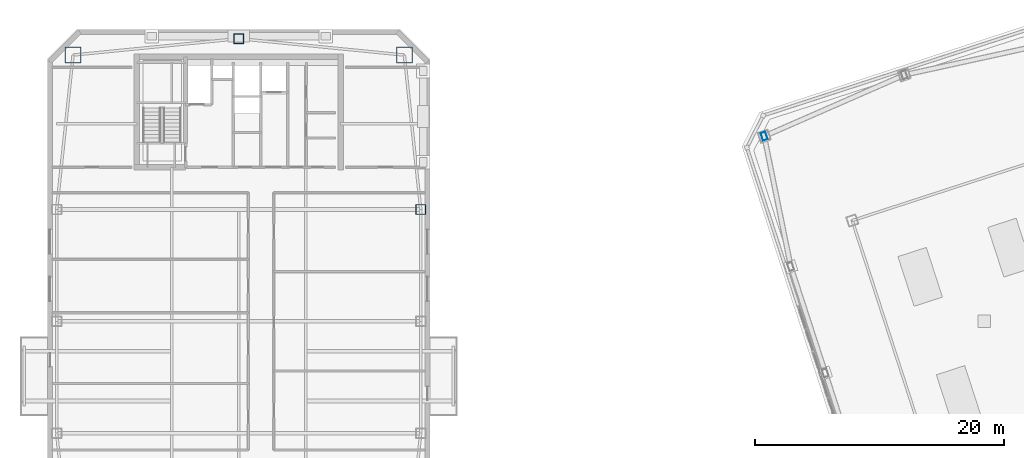
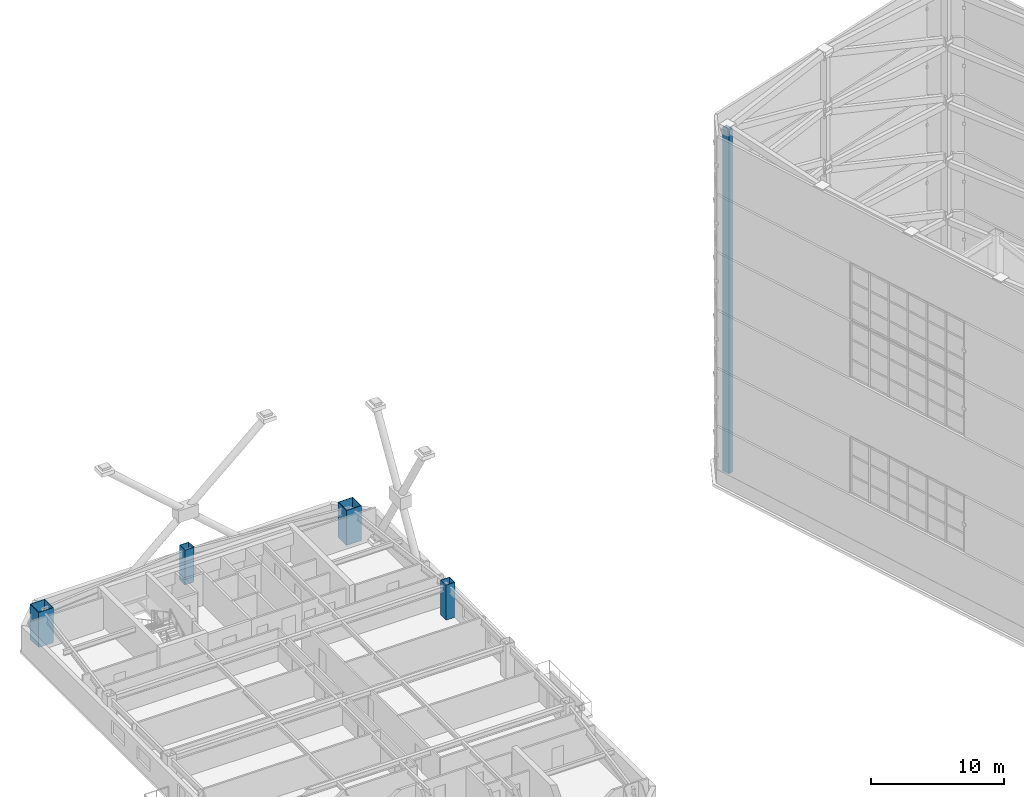
# One storey, part 2 of 56: 5 columns.
"""IFC4 building model written with IfcOpenShell, lengths in metres."""

import ifcopenshell
import ifcopenshell.guid

model = None  # the IFC model being written
_history = None  # IfcOwnerHistory: only IFC2X3 demands one
_inside = {}  # id of a spatial element -> (the spatial element, [elements in it])
_under = {}  # id of a project, library or spatial element -> (it, [spatial elements below it])
_declared = {}  # id of a project -> (the project, [libraries it declares])
_typed = {}  # id of a type object -> (the type object, [elements of that type])
_made_of = {}  # id of a material, layer set ... -> (it, [elements and type objects made of it])


def new_model(schema):
    """Start an empty IFC model of exactly this schema.

    Asked for "IFC4X3", IfcOpenShell would pick the latest addendum, in which some entities
    have other attributes; the version numbers below select the first issue.
    IFC2X3 requires an IfcOwnerHistory on every rooted entity: one is made here for all.
    """
    global model, _history
    if schema == "IFC4X3":
        model = ifcopenshell.file(schema_version=(4, 3, 0, 0))
    else:
        model = ifcopenshell.file(schema=schema)
    _inside.clear()
    _under.clear()
    _declared.clear()
    _typed.clear()
    _made_of.clear()
    _history = None
    if model.schema == "IFC2X3":
        org = make("IfcOrganization", Name="unknown")
        user = make(
            "IfcPersonAndOrganization",
            ThePerson=make("IfcPerson", FamilyName="unknown"),
            TheOrganization=org,
        )
        app = make(
            "IfcApplication",
            ApplicationDeveloper=org,
            Version="unknown",
            ApplicationFullName="unknown",
            ApplicationIdentifier="unknown",
        )
        _history = make(
            "IfcOwnerHistory",
            OwningUser=user,
            OwningApplication=app,
            ChangeAction="ADDED",
            CreationDate=0,
        )
    return model


def make(cls, **values):
    """One entity of the class cls with the attributes given. An attribute that is None is left unset."""
    return model.create_entity(
        cls, **{name: value for name, value in values.items() if value is not None}
    )


def rooted(cls, **values):
    """An entity with a GlobalId (a new one), such as an element, a storey or a relation."""
    return make(cls, GlobalId=ifcopenshell.guid.new(), OwnerHistory=_history, **values)


def si_unit(unit_type, name, prefix=None):
    """IfcSIUnit, for example si_unit("LENGTHUNIT", "METRE", prefix="MILLI")."""
    return make("IfcSIUnit", UnitType=unit_type, Prefix=prefix, Name=name)


def assignment(units):
    """IfcUnitAssignment: the units of a project."""
    return None if units is None else make("IfcUnitAssignment", Units=units)


def point(xyz):
    """IfcCartesianPoint."""
    return None if xyz is None else make("IfcCartesianPoint", Coordinates=xyz)


def direction(xyz):
    """IfcDirection."""
    return None if xyz is None else make("IfcDirection", DirectionRatios=xyz)


def frame(location, z_axis=None, x_axis=None):
    """IfcAxis2Placement3D, a coordinate frame: its origin and axes. An axis left out is left unset."""
    return make(
        "IfcAxis2Placement3D",
        Location=point(location),
        Axis=direction(z_axis),
        RefDirection=direction(x_axis),
    )


def frame_2d(location, x_axis=None):
    """IfcAxis2Placement2D, a coordinate frame in the plane: its origin and x axis."""
    return make(
        "IfcAxis2Placement2D", Location=point(location), RefDirection=direction(x_axis)
    )


def origin():
    """The frame at (0, 0, 0) with its axes left unset."""
    return frame((0.0, 0.0, 0.0))


def origin_2d():
    """The frame at (0, 0) in the plane with its x axis left unset."""
    return frame_2d((0.0, 0.0))


def place(relative_to, where):
    """IfcLocalPlacement: puts the frame where relative to a parent placement (None: the world)."""
    return make(
        "IfcLocalPlacement", PlacementRelTo=relative_to, RelativePlacement=where
    )


def context(
    kind, dimensions, precision=None, world=None, true_north=None, identifier=None
):
    """IfcGeometricRepresentationContext, for example the 3D "Model" context."""
    return make(
        "IfcGeometricRepresentationContext",
        ContextIdentifier=identifier,
        ContextType=kind,
        CoordinateSpaceDimension=dimensions,
        Precision=precision,
        WorldCoordinateSystem=world,
        TrueNorth=true_north,
    )


def subcontext(parent, identifier, kind, view, scale=None):
    """IfcGeometricRepresentationSubContext, for example "Body" below "Model"."""
    return make(
        "IfcGeometricRepresentationSubContext",
        ContextIdentifier=identifier,
        ContextType=kind,
        ParentContext=parent,
        TargetScale=scale,
        TargetView=view,
    )


def project(units=None, contexts=None):
    """IfcProject with its units and contexts."""
    return rooted(
        "IfcProject",
        Name="project",
        RepresentationContexts=contexts,
        UnitsInContext=assignment(units),
    )


def spatial(cls, under=None, at=None, **own):
    """A site, building, storey or space (cls), placed at a placement, below another one or the project."""
    s = rooted(cls, ObjectPlacement=at, **own)
    if under is not None:
        _under.setdefault(under.id(), (under, []))[1].append(s)
    return s


def profile(cls, at=None, kind="AREA", **sizes):
    """A parametric profile (cls). Its sizes go by their IFC names, for example OverallWidth=200.0."""
    return make(cls, ProfileType=kind, Position=at, **sizes)


def hollow_rectangle(**sizes):
    """IfcRectangleHollowProfileDef."""
    return profile("IfcRectangleHollowProfileDef", **sizes)


def extrude(swept, where, along, depth):
    """IfcExtrudedAreaSolid: the profile swept, set in the frame where, extruded along a direction by depth."""
    return make(
        "IfcExtrudedAreaSolid",
        SweptArea=swept,
        Position=where,
        ExtrudedDirection=direction(along),
        Depth=depth,
    )


def shape(context_of_items, identifier, shape_type, items):
    """IfcShapeRepresentation: the items that make up one representation, for example the "Body"."""
    return make(
        "IfcShapeRepresentation",
        ContextOfItems=context_of_items,
        RepresentationIdentifier=identifier,
        RepresentationType=shape_type,
        Items=items,
    )


def material(Name=None, Category=None):
    """IfcMaterial."""
    return make("IfcMaterial", Name=Name, Category=Category)


def material_profile(
    of_material, cross_section, Name=None, Category=None, Priority=None
):
    """IfcMaterialProfile: a cross section and its material."""
    return make(
        "IfcMaterialProfile",
        Name=Name,
        Material=of_material,
        Profile=cross_section,
        Priority=Priority,
        Category=Category,
    )


def profile_set(profiles, Name=None, composite=None):
    """IfcMaterialProfileSet."""
    return make(
        "IfcMaterialProfileSet",
        Name=Name,
        MaterialProfiles=profiles,
        CompositeProfile=composite,
    )


def made_of(thing, what):
    """Note that an element or type object is made of a material, layer set ...; save() writes the relation."""
    if what is not None:
        _made_of.setdefault(what.id(), (what, []))[1].append(thing)
    return thing


def type_object(cls, material=None, **own):
    """A type object (cls), such as IfcWallType, which elements share."""
    return made_of(rooted(cls, **own), material)


def element(
    cls,
    number,
    at=None,
    inside=None,
    cuts=None,
    type_object=None,
    material=None,
    context=None,
    identifier="Body",
    shape_type=None,
    held_by="IfcProductDefinitionShape",
    body=None,
    shapes=None,
    **own,
):
    """One element of the class cls, such as IfcWall. Its Tag is "e" and its number.

    at: its placement. inside: the storey or other place that contains it. cuts: it is an
    opening in that element (IfcRelVoidsElement). A single representation is given by context,
    identifier, shape_type and body (its items); several are given by shapes. held_by: the class
    of the entity that holds the representations. save() writes the other relations.
    """
    e = rooted(cls, Tag="e%d" % number, ObjectPlacement=at, **own)
    if body is not None:
        shapes = [shape(context, identifier, shape_type, body)]
    if shapes is not None:
        e.Representation = make(held_by, Representations=shapes)
    if inside is not None:
        _inside.setdefault(inside.id(), (inside, []))[1].append(e)
    if cuts is not None:
        rooted(
            "IfcRelVoidsElement", RelatingBuildingElement=cuts, RelatedOpeningElement=e
        )
    if type_object is not None:
        _typed.setdefault(type_object.id(), (type_object, []))[1].append(e)
    return made_of(e, material)


def aggregate(whole, parts):
    """IfcRelAggregates: a whole, such as a stair, and the parts it consists of."""
    return rooted("IfcRelAggregates", RelatingObject=whole, RelatedObjects=parts)


def save(model, path):
    """Write the relations noted so far, then the file.

    IfcRelAggregates (storeys below a building ...), IfcRelContainedInSpatialStructure (elements
    in a storey), IfcRelDefinesByType, IfcRelAssociatesMaterial and IfcRelDeclares: one each for
    every whole, place, type object, material and project.
    """
    for whole, parts in _under.values():
        aggregate(whole, parts)
    for where, things in _inside.values():
        rooted(
            "IfcRelContainedInSpatialStructure",
            RelatedElements=things,
            RelatingStructure=where,
        )
    for kind, things in _typed.values():
        rooted("IfcRelDefinesByType", RelatedObjects=things, RelatingType=kind)
    for what, things in _made_of.values():
        rooted("IfcRelAssociatesMaterial", RelatedObjects=things, RelatingMaterial=what)
    for by, libraries in _declared.values():
        rooted("IfcRelDeclares", RelatingContext=by, RelatedDefinitions=libraries)
    model.write(path)


model = new_model("IFC4")

# Units and contexts
model_context = context("Model", 3, precision=1e-05, world=origin(), true_north=direction((0.0, 1.0)))
body_context = subcontext(model_context, "Body", "Model", "MODEL_VIEW")
ifc_project = project(units=[si_unit("LENGTHUNIT", "METRE"), si_unit("AREAUNIT", "SQUARE_METRE"), si_unit("VOLUMEUNIT", "CUBIC_METRE"), si_unit("PLANEANGLEUNIT", "RADIAN"), si_unit("MASSUNIT", "GRAM", prefix="KILO")], contexts=[model_context])

# Site, building, storey
site_placement = place(None, origin())
site = spatial("IfcSite", under=ifc_project, at=site_placement, CompositionType="ELEMENT")
building_placement = place(site_placement, origin())
building = spatial("IfcBuilding", under=site, at=building_placement, Name="Qiaolan Cultural Towers", CompositionType="ELEMENT")
storey_placement = place(building_placement, frame((0.0, 0.0, 250.39990234375)))
storey = spatial("IfcBuildingStorey", under=building, at=storey_placement, Name="L68", CompositionType="ELEMENT", Elevation=250.39990234375)

# Columns
ifc_material_1 = material(Name="Steel Q390GJB", Category="steel")
ifc_material_profile_1 = material_profile(ifc_material_1, hollow_rectangle(XDim=1.300048828125, YDim=1.300048828125, WallThickness=0.044921875, at=origin_2d()), Name="BOX1300x1300x45")
ifc_profile_set_1 = profile_set([ifc_material_profile_1], Name="Steel Q390GJB")
column_type_1 = type_object("IfcColumnType", Name="COL-BOX1300x1300x45", PredefinedType="COLUMN", material=ifc_profile_set_1)
for number, where, z_axis, x_axis, name in (
    (1, (43.330078125, 55.429931640625, 0.0), (0.0, 0.0, 1.0), (1.0, 0.0, 0.0), "L68 T1 Perimeter Column MC-NE"),
    (2, (16.669921875, 55.429931640625, 0.0), (0.0, 0.0, 1.0), (1.0, 0.0, 0.0), "L68 T1 Perimeter Column MC-NW"),
):
    element("IfcColumn", number, at=place(storey_placement, frame(where, z_axis=z_axis, x_axis=x_axis)), inside=storey, type_object=column_type_1, Name=name, PredefinedType="COLUMN", context=body_context, shape_type="SweptSolid", body=[
        extrude(hollow_rectangle(XDim=1.300048828125, YDim=1.300048828125, WallThickness=0.044921875, at=origin_2d()), origin(), (0.0, 0.0, 1.0), 3.201171875),
    ])
ifc_material_2 = material(Name="Steel Q355B", Category="steel")
ifc_material_profile_2 = material_profile(ifc_material_2, hollow_rectangle(XDim=0.800048828125, YDim=0.800048828125, WallThickness=0.028076171875, at=origin_2d()), Name="BOX800x800x28")
ifc_profile_set_2 = profile_set([ifc_material_profile_2], Name="Steel Q355B")
column_type_2 = type_object("IfcColumnType", Name="COL-BOX800x800x28", PredefinedType="COLUMN", material=ifc_profile_set_2)
for number, where, z_axis, x_axis, name in (
    (3, (44.64990234375, 43.0, 0.0), (0.0, 0.0, 1.0), (1.0, 0.0, 0.0), "L68 T1 Perimeter Column PC-E3"),
    (4, (30.0, 56.75, 0.0), (0.0, 0.0, 1.0), (1.0, 0.0, 0.0), "L68 T1 Perimeter Column PC-N0"),
):
    element("IfcColumn", number, at=place(storey_placement, frame(where, z_axis=z_axis, x_axis=x_axis)), inside=storey, type_object=column_type_2, Name=name, PredefinedType="COLUMN", context=body_context, shape_type="SweptSolid", body=[
        extrude(hollow_rectangle(XDim=0.800048828125, YDim=0.800048828125, WallThickness=0.028076171875, at=origin_2d()), origin(), (0.0, 0.0, 1.0), 3.201171875),
    ])
ifc_material_3 = material(Name="Steel Q355B", Category="steel")
ifc_material_profile_3 = material_profile(ifc_material_3, hollow_rectangle(XDim=0.39990234375, YDim=0.64990234375, WallThickness=0.02001953125, at=origin_2d()), Name="BOX650x400x20")
ifc_profile_set_3 = profile_set([ifc_material_profile_3], Name="Steel Q355B")
column_type_3 = type_object("IfcColumnType", Name="COL-CROWN-FRAME-11", PredefinedType="COLUMN", material=ifc_profile_set_3)
column_placement = place(storey_placement, frame((72.2900390625, 48.896484375, 0.0), z_axis=(0.0, 0.0, 1.0), x_axis=(0.951056516295, 0.309016994375, 0.0)))
element("IfcColumn", 5, at=column_placement, inside=storey, type_object=column_type_3, Name="T2 Crown Frame Post 10 (CROWN FRAME)", PredefinedType="COLUMN", context=body_context, shape_type="SweptSolid", body=[
    extrude(hollow_rectangle(XDim=0.39990234375, YDim=0.64990234375, WallThickness=0.02001953125, at=origin_2d()), origin(), (0.0, 0.0, 1.0), 31.47509765625),
])

save(model, "model.ifc")
